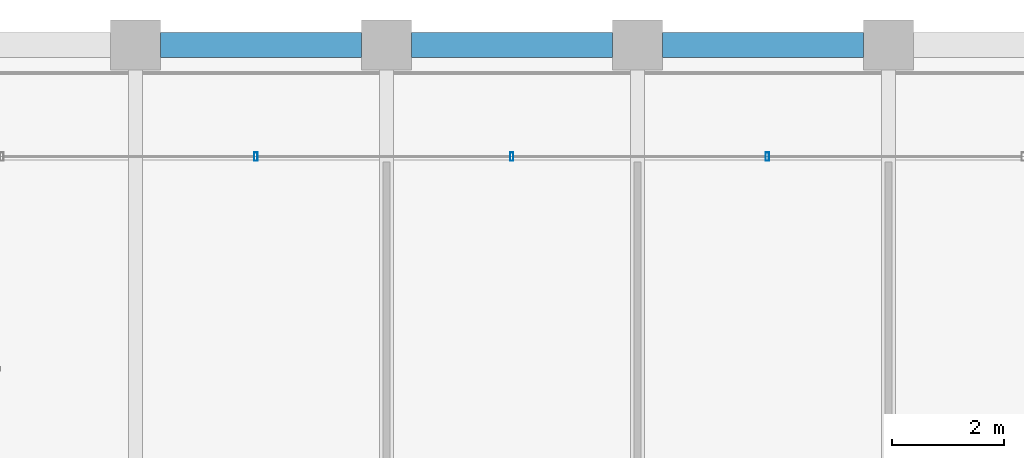
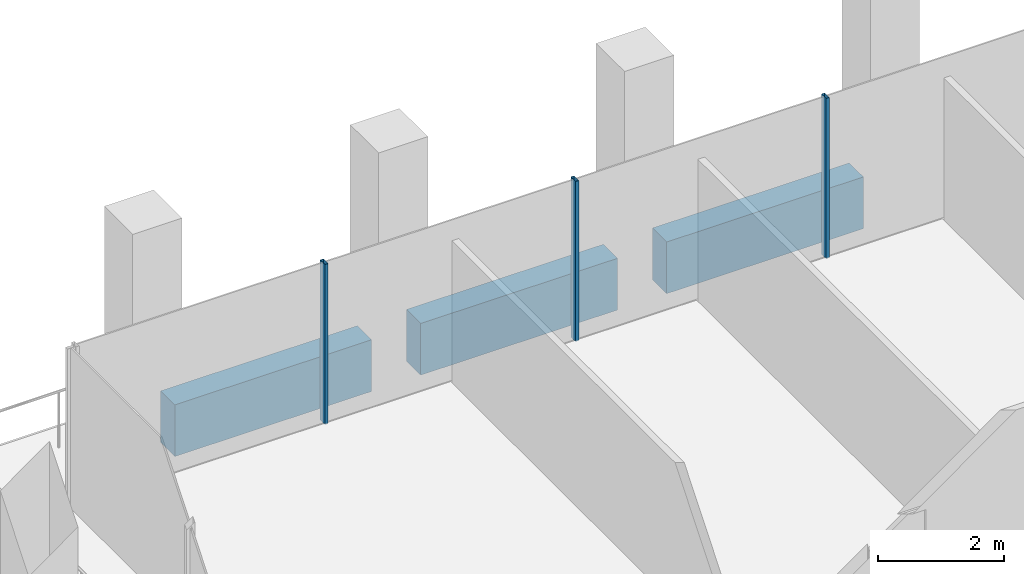
# One storey, part 23 of 40: 3 beams, 3 members, 1 element without a shape of its own.
"""IFC4 building model written with IfcOpenShell, lengths in metres."""

from ifc_helpers import new_model, si_unit, direction, frame, origin, origin_2d, place, context, subcontext, project, spatial, rectangle, hollow_rectangle, extrude, material, material_profile, profile_set, type_object, element, aggregate, save


model = new_model("IFC4")

# Units and contexts
model_context = context("Model", 3, precision=1e-05, world=origin(), true_north=direction((0.0, 1.0)))
body_context = subcontext(model_context, "Body", "Model", "MODEL_VIEW")
ifc_project = project(units=[si_unit("LENGTHUNIT", "METRE"), si_unit("AREAUNIT", "SQUARE_METRE"), si_unit("VOLUMEUNIT", "CUBIC_METRE"), si_unit("PLANEANGLEUNIT", "RADIAN"), si_unit("MASSUNIT", "GRAM", prefix="KILO")], contexts=[model_context])

# Site, building, storey
site_placement = place(None, origin())
site = spatial("IfcSite", under=ifc_project, at=site_placement, CompositionType="ELEMENT")
building_placement = place(site_placement, origin())
building = spatial("IfcBuilding", under=site, at=building_placement, Name="Altepetl Exchange Towers", CompositionType="ELEMENT")
storey_placement = place(building_placement, frame((0.0, 0.0, 172.60009765625)))
storey = spatial("IfcBuildingStorey", under=building, at=storey_placement, Name="L43", CompositionType="ELEMENT", Elevation=172.60009765625)

# Curtain wall, members
ifc_material_1 = material(Name="Aluminium 6063-T6 glazing", Category="aluminium")
curtain_wall_type = type_object("IfcCurtainWallType", Name="Loggia glazing system", PredefinedType="NOTDEFINED", material=ifc_material_1)
curtain_wall_placement = place(storey_placement, origin())
curtain_wall = element("IfcCurtainWall", 1, at=curtain_wall_placement, inside=storey, type_object=curtain_wall_type, Name="CW1 run", PredefinedType="NOTDEFINED")
ifc_material_2 = material(Name="Aluminium 6063-T6", Category="aluminium")
ifc_material_profile_1 = material_profile(ifc_material_2, hollow_rectangle(XDim=0.06005859375, YDim=0.14990234375, WallThickness=0.0029296875, at=origin_2d()), Name="Mullion 60x150 aluminium")
ifc_profile_set_1 = profile_set([ifc_material_profile_1], Name="Aluminium 6063-T6")
member_type = type_object("IfcMemberType", Name="Mullion 60x150 aluminium", PredefinedType="MULLION", material=ifc_profile_set_1)
member_1_placement = place(storey_placement, frame((56.330078125, 70.0, 0.0), z_axis=(0.0, 0.0, 1.0), x_axis=(-1.0, 0.0, 0.0)))
member_1 = element("IfcMember", 2, at=member_1_placement, type_object=member_type, Name="MU1 mullion", PredefinedType="MULLION", context=body_context, shape_type="SweptSolid", body=[
    extrude(hollow_rectangle(XDim=0.06005859375, YDim=0.14990234375, WallThickness=0.0029296875, at=origin_2d()), origin(), (0.0, 0.0, 1.0), 3.099853515625),
])
member_2_placement = place(storey_placement, frame((51.7451171875, 70.0, 0.0), z_axis=(0.0, 0.0, 1.0), x_axis=(-1.0, 0.0, 0.0)))
member_2 = element("IfcMember", 3, at=member_2_placement, type_object=member_type, Name="MU1 mullion", PredefinedType="MULLION", context=body_context, shape_type="SweptSolid", body=[
    extrude(hollow_rectangle(XDim=0.06005859375, YDim=0.14990234375, WallThickness=0.0029296875, at=origin_2d()), origin(), (0.0, 0.0, 1.0), 3.099853515625),
])
member_3_placement = place(storey_placement, frame((47.159912109375, 70.0, 0.0), z_axis=(0.0, 0.0, 1.0), x_axis=(-1.0, 0.0, 0.0)))
member_3 = element("IfcMember", 4, at=member_3_placement, type_object=member_type, Name="MU1 mullion", PredefinedType="MULLION", context=body_context, shape_type="SweptSolid", body=[
    extrude(hollow_rectangle(XDim=0.06005859375, YDim=0.14990234375, WallThickness=0.0029296875, at=origin_2d()), origin(), (0.0, 0.0, 1.0), 3.099853515625),
])
aggregate(curtain_wall, [member_1, member_2, member_3])

# Beams
ifc_material_3 = material(Name="Concrete C50/60 precast with cantera rosa facing", Category="concrete")
ifc_material_profile_2 = material_profile(ifc_material_3, rectangle(XDim=0.449951171875, YDim=1.0, at=origin_2d()), Name="450 x 1000")
ifc_profile_set_2 = profile_set([ifc_material_profile_2], Name="Concrete C50/60 precast with cantera rosa facing")
beam_type = type_object("IfcBeamType", Name="Spandrel beam 450x1000 cantera rosa", PredefinedType="SPANDREL", material=ifc_profile_set_2)
for number, where, z_axis, x_axis, name in (
    (5, (58.050048828125, 72.0, -0.650146484375), (-1.0, 0.0, 0.0), (0.0, -1.0, 0.0), "sp:A:L43:026"),
    (6, (53.550048828125, 72.0, -0.650146484375), (-1.0, 0.0, 0.0), (0.0, -1.0, 0.0), "sp:A:L43:027"),
    (7, (49.050048828125, 72.0, -0.650146484375), (-1.0, 0.0, 0.0), (0.0, -1.0, 0.0), "sp:A:L43:028"),
):
    element("IfcBeam", number, at=place(storey_placement, frame(where, z_axis=z_axis, x_axis=x_axis)), inside=storey, type_object=beam_type, Name=name, PredefinedType="SPANDREL", context=body_context, shape_type="SweptSolid", body=[
        extrude(rectangle(XDim=0.449951171875, YDim=1.0, at=origin_2d()), origin(), (0.0, 0.0, 1.0), 3.60009765625),
    ])

save(model, "model.ifc")
